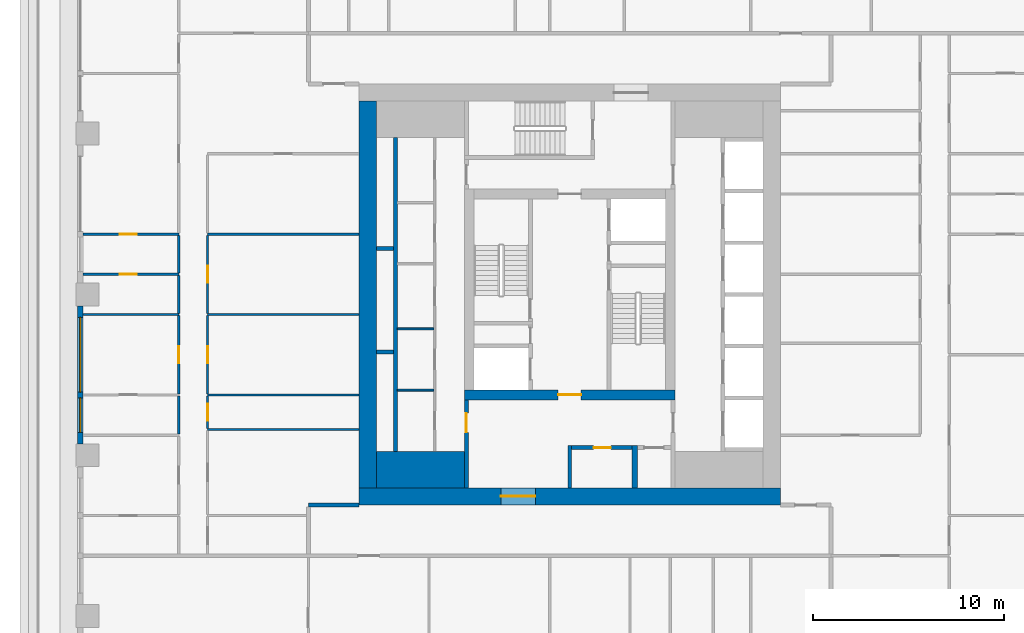
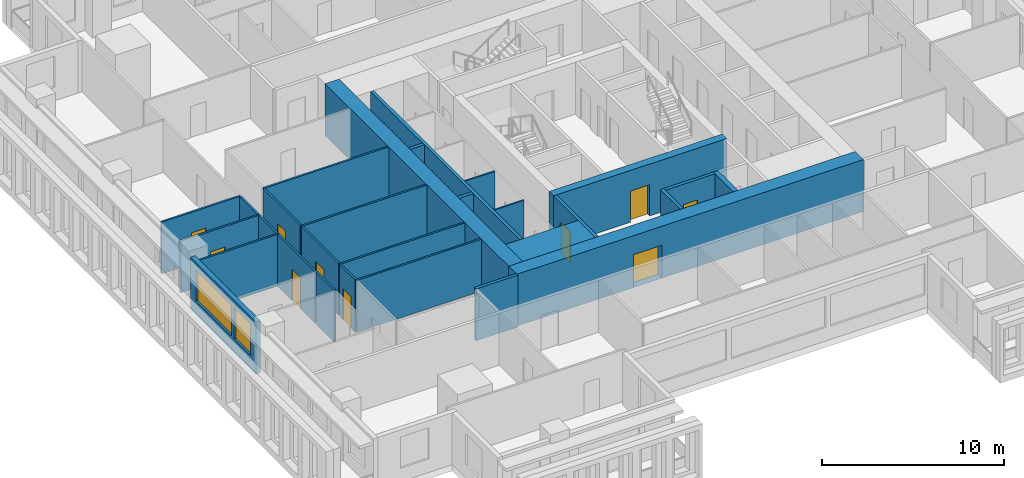
# One storey, part 3 of 14: 29 walls, 10 doors, 2 windows, 12 openings.
"""IFC4 building model written with IfcOpenShell, lengths in metres."""

from ifc_helpers import new_model, si_unit, direction, frame, frame_2d, origin, place, context, subcontext, project, spatial, rectangle, extrude, material, layer, layer_set, type_object, element, fill, save


model = new_model("IFC4")

# Units and contexts
model_context = context("Model", 3, precision=1e-05, world=origin(), true_north=direction((0.0, 1.0)))
body_context = subcontext(model_context, "Body", "Model", "MODEL_VIEW")
ifc_project = project(units=[si_unit("LENGTHUNIT", "METRE"), si_unit("AREAUNIT", "SQUARE_METRE"), si_unit("VOLUMEUNIT", "CUBIC_METRE"), si_unit("PLANEANGLEUNIT", "RADIAN"), si_unit("MASSUNIT", "GRAM", prefix="KILO")], contexts=[model_context])

# Site, building, storey
site_placement = place(None, origin())
site = spatial("IfcSite", under=ifc_project, at=site_placement, CompositionType="ELEMENT")
building_placement = place(site_placement, origin())
building = spatial("IfcBuilding", under=site, at=building_placement, Name="Khepri Terraces", CompositionType="ELEMENT")
storey_placement = place(building_placement, frame((0.0, 0.0, 267.89990234375)))
storey = spatial("IfcBuildingStorey", under=building, at=storey_placement, Name="L64", CompositionType="ELEMENT", Elevation=267.89990234375)

# Walls
ifc_material_1 = material(Name="Concrete C40/50", Category="concrete")
ifc_layer_1 = layer(ifc_material_1, 1.89990234375, Name="Concrete C40/50", Category="concrete")
ifc_layer_set_1 = layer_set([ifc_layer_1], Name="Concrete C40/50")
wall_type_1 = type_object("IfcWallType", Name="Core wall 1900 C40/50", PredefinedType="SHEAR", material=ifc_layer_set_1)
wall_1_placement = place(storey_placement, frame((-10.10009765625, -9.14990234375, 0.0), z_axis=(0.0, 0.0, 1.0), x_axis=(1.0, 0.0, 0.0)))
element("IfcWall", 1, at=wall_1_placement, inside=storey, type_object=wall_type_1, Name="Core wall PR01 L64", PredefinedType="SHEAR", context=body_context, shape_type="SweptSolid", body=[
    extrude(rectangle(XDim=4.60009765625, YDim=1.89990234375, at=frame_2d((2.300048828125, 0.0))), origin(), (0.0, 0.0, 1.0), 3.47998046875),
])
ifc_layer_2 = layer(ifc_material_1, 0.199951171875, Name="Concrete C40/50", Category="concrete")
ifc_layer_set_2 = layer_set([ifc_layer_2], Name="Concrete C40/50")
wall_type_2 = type_object("IfcWallType", Name="Core wall 200 C40/50", PredefinedType="SHEAR", material=ifc_layer_set_2)
wall_2_placement = place(storey_placement, frame((-9.10009765625, -8.199951171875, 0.0), z_axis=(0.0, 0.0, 1.0), x_axis=(0.0, 1.0, 0.0)))
element("IfcWall", 2, at=wall_2_placement, inside=storey, type_object=wall_type_2, Name="Core wall SH01 L64", PredefinedType="SHEAR", context=body_context, shape_type="SweptSolid", body=[
    extrude(rectangle(XDim=16.39990234375, YDim=0.199951171875, at=frame_2d((8.199951171875, 0.0))), origin(), (0.0, 0.0, 1.0), 3.47998046875),
])
for number, where, z_axis, x_axis, name in (
    (3, (-10.10009765625, -3.0, 0.0), (0.0, 0.0, 1.0), (1.0, 0.0, 0.0), "Core wall SH06 L64"),
    (4, (-10.10009765625, 2.39990234375, 0.0), (0.0, 0.0, 1.0), (1.0, 0.0, 0.0), "Core wall SH11 L64"),
):
    element("IfcWall", number, at=place(storey_placement, frame(where, z_axis=z_axis, x_axis=x_axis)), inside=storey, type_object=wall_type_2, Name=name, PredefinedType="SHEAR", context=body_context, shape_type="SweptSolid", body=[
        extrude(rectangle(XDim=0.900146484375, YDim=0.199951171875, at=frame_2d((0.4501953125, 0.0))), origin(), (0.0, 0.0, 1.0), 3.47998046875),
    ])

# Wall, opening, door
ifc_layer_3 = layer(ifc_material_1, 0.5, Name="Concrete C40/50", Category="concrete")
ifc_layer_set_3 = layer_set([ifc_layer_3], Name="Concrete C40/50")
wall_type_3 = type_object("IfcWallType", Name="Core wall 500 C40/50", PredefinedType="SHEAR", material=ifc_layer_set_3)
wall_3_placement = place(storey_placement, frame((-5.5, -5.25, 0.0), z_axis=(0.0, 0.0, 1.0), x_axis=(1.0, 0.0, 0.0)))
wall_3 = element("IfcWall", 5, at=wall_3_placement, inside=storey, type_object=wall_type_3, Name="Core wall BX01 L64", PredefinedType="SHEAR", context=body_context, shape_type="SweptSolid", body=[
    extrude(rectangle(XDim=11.0, YDim=0.5, at=frame_2d((5.5, 0.0))), origin(), (0.0, 0.0, 1.0), 3.47998046875),
])
opening_1_placement = place(wall_3_placement, frame((4.89990234375, 0.0, 0.0)))
opening_1 = element("IfcOpeningElement", 6, at=opening_1_placement, cuts=wall_3, Name="Opening L64-C14", PredefinedType="OPENING", context=body_context, shape_type="SweptSolid", body=[
    extrude(rectangle(XDim=1.199951171875, YDim=2.10009765625, at=frame_2d((0.60009765625, 1.050048828125))), frame((0.0, 0.260009765625, 0.0), z_axis=(0.0, -1.0, 0.0), x_axis=(1.0, 0.0, 0.0)), (0.0, 0.0, 1.0), 0.52001953125),
])
ifc_material_2 = material(Name="Painted steel", Category="steel")
door_type_1 = type_object("IfcDoorType", Name="DR-CORE-FF-LOBBY-1200", OperationType="NOTDEFINED", PredefinedType="DOOR", material=ifc_material_2)
door_1_placement = place(opening_1_placement, origin())
door_1 = element("IfcDoor", 7, at=door_1_placement, inside=storey, type_object=door_type_1, Name="Firefighting lobby door L64-C14", OperationType="SINGLE_SWING_RIGHT", OverallHeight=2.10009765625, OverallWidth=1.199951171875, PredefinedType="DOOR", context=body_context, shape_type="SweptSolid", body=[
    extrude(rectangle(XDim=1.199951171875, YDim=2.10009765625, at=frame_2d((0.60009765625, 1.050048828125))), frame((0.0, 0.02490234375, 0.0), z_axis=(0.0, -1.0, 0.0), x_axis=(1.0, 0.0, 0.0)), (0.0, 0.0, 1.0), 0.050048828125),
])
fill(opening_1, door_1)

ifc_layer_4 = layer(ifc_material_1, 0.89990234375, Name="Concrete C40/50", Category="concrete")
ifc_layer_set_4 = layer_set([ifc_layer_4], Name="Concrete C40/50")
wall_type_4 = type_object("IfcWallType", Name="Core wall 900 C40/50", PredefinedType="SHEAR", material=ifc_layer_set_4)
wall_4_placement = place(storey_placement, frame((-11.0, -10.550048828125, 0.0), z_axis=(0.0, 0.0, 1.0), x_axis=(1.0, 0.0, 0.0)))
wall_4 = element("IfcWall", 8, at=wall_4_placement, inside=storey, type_object=wall_type_4, Name="Core wall OW-S L64", PredefinedType="SHEAR", context=body_context, shape_type="SweptSolid", body=[
    extrude(rectangle(XDim=22.0, YDim=0.89990234375, at=frame_2d((11.0, 0.0))), origin(), (0.0, 0.0, 1.0), 3.47998046875),
])
opening_2_placement = place(wall_4_placement, frame((7.39990234375, 0.0, 0.0)))
opening_2 = element("IfcOpeningElement", 9, at=opening_2_placement, cuts=wall_4, Name="Opening L64-C21", PredefinedType="OPENING", context=body_context, shape_type="SweptSolid", body=[
    extrude(rectangle(XDim=1.800048828125, YDim=2.199951171875, at=frame_2d((0.89990234375, 1.10009765625))), frame((0.0, 0.4599609375, 0.0), z_axis=(0.0, -1.0, 0.0), x_axis=(1.0, 0.0, 0.0)), (0.0, 0.0, 1.0), 0.919921875),
])
door_type_2 = type_object("IfcDoorType", Name="DR-CORE-ENTRANCE-1800", OperationType="NOTDEFINED", PredefinedType="DOOR", material=ifc_material_2)
door_2_placement = place(opening_2_placement, frame((1.800048828125, 0.0, 0.0), z_axis=(0.0, 0.0, 1.0), x_axis=(-1.0, 0.0, 0.0)))
door_2 = element("IfcDoor", 10, at=door_2_placement, inside=storey, type_object=door_type_2, Name="Core entrance door pair L64-C21", OperationType="DOUBLE_DOOR_SINGLE_SWING", OverallHeight=2.199951171875, OverallWidth=1.800048828125, PredefinedType="DOOR", context=body_context, shape_type="SweptSolid", body=[
    extrude(rectangle(XDim=1.800048828125, YDim=2.199951171875, at=frame_2d((0.89990234375, 1.10009765625))), frame((0.0, 0.02490234375, 0.0), z_axis=(0.0, -1.0, 0.0), x_axis=(1.0, 0.0, 0.0)), (0.0, 0.0, 1.0), 0.050048828125),
])
fill(opening_2, door_2)

# Walls
wall_5_placement = place(storey_placement, frame((-10.550048828125, -10.10009765625, 0.0), z_axis=(0.0, 0.0, 1.0), x_axis=(0.0, 1.0, 0.0)))
element("IfcWall", 11, at=wall_5_placement, inside=storey, type_object=wall_type_4, Name="Core wall OW-W L64", PredefinedType="SHEAR", context=body_context, shape_type="SweptSolid", body=[
    extrude(rectangle(XDim=20.2001953125, YDim=0.89990234375, at=frame_2d((10.10009765625, 0.0))), origin(), (0.0, 0.0, 1.0), 3.47998046875),
])
ifc_material_3 = material(Name="Fire-rated gypsum board partition")
ifc_layer_5 = layer(ifc_material_3, 0.10009765625, Name="Fire-rated gypsum board partition")
ifc_layer_set_5 = layer_set([ifc_layer_5], Name="Fire-rated gypsum board partition")
wall_type_5 = type_object("IfcWallType", Name="WL-CORE-PART-100", PredefinedType="PARTITIONING", material=ifc_layer_set_5)
for number, where, z_axis, x_axis, name in (
    (12, (-9.0, -5.0, 0.0), (0.0, 0.0, 1.0), (1.0, 0.0, 0.0), "Core partition PT08 L64"),
    (13, (-9.0, -1.800048828125, 0.0), (0.0, 0.0, 1.0), (1.0, 0.0, 0.0), "Core partition PT09 L64"),
):
    element("IfcWall", number, at=place(storey_placement, frame(where, z_axis=z_axis, x_axis=x_axis)), inside=storey, type_object=wall_type_5, Name=name, PredefinedType="PARTITIONING", context=body_context, shape_type="SweptSolid", body=[
        extrude(rectangle(XDim=1.89990234375, YDim=0.10009765625, at=frame_2d((0.949951171875, 0.0))), origin(), (0.0, 0.0, 1.0), 3.47998046875),
    ])

# Wall, opening, door
ifc_layer_6 = layer(ifc_material_3, 0.199951171875, Name="Fire-rated gypsum board partition")
ifc_layer_set_6 = layer_set([ifc_layer_6], Name="Fire-rated gypsum board partition")
wall_type_6 = type_object("IfcWallType", Name="WL-CORE-PART-200", PredefinedType="PARTITIONING", material=ifc_layer_set_6)
wall_6_placement = place(storey_placement, frame((-5.39990234375, -10.10009765625, 0.0), z_axis=(0.0, 0.0, 1.0), x_axis=(0.0, 1.0, 0.0)))
wall_6 = element("IfcWall", 14, at=wall_6_placement, inside=storey, type_object=wall_type_6, Name="Core partition PT01 L64", PredefinedType="PARTITIONING", context=body_context, shape_type="SweptSolid", body=[
    extrude(rectangle(XDim=4.60009765625, YDim=0.199951171875, at=frame_2d((2.300048828125, 0.0))), origin(), (0.0, 0.0, 1.0), 3.47998046875),
])
opening_3_placement = place(wall_6_placement, frame((2.89990234375, 0.0, 0.0)))
opening_3 = element("IfcOpeningElement", 15, at=opening_3_placement, cuts=wall_6, Name="Opening L64-C18", PredefinedType="OPENING", context=body_context, shape_type="SweptSolid", body=[
    extrude(rectangle(XDim=1.0, YDim=2.10009765625, at=frame_2d((0.5, 1.050048828125))), frame((0.0, 0.10986328125, 0.0), z_axis=(0.0, -1.0, 0.0), x_axis=(1.0, 0.0, 0.0)), (0.0, 0.0, 1.0), 0.219970703125),
])
door_type_3 = type_object("IfcDoorType", Name="DR-CORE-LOBBY-1000", OperationType="NOTDEFINED", PredefinedType="DOOR", material=ifc_material_2)
door_3_placement = place(opening_3_placement, frame((1.0, 0.0, 0.0), z_axis=(0.0, 0.0, 1.0), x_axis=(-1.0, 0.0, 0.0)))
door_3 = element("IfcDoor", 16, at=door_3_placement, inside=storey, type_object=door_type_3, Name="Lobby door L64-C18", OperationType="SINGLE_SWING_LEFT", OverallHeight=2.10009765625, OverallWidth=1.0, PredefinedType="DOOR", context=body_context, shape_type="SweptSolid", body=[
    extrude(rectangle(XDim=1.0, YDim=2.10009765625, at=frame_2d((0.5, 1.050048828125))), frame((0.0, 0.02490234375, 0.0), z_axis=(0.0, -1.0, 0.0), x_axis=(1.0, 0.0, 0.0)), (0.0, 0.0, 1.0), 0.050048828125),
])
fill(opening_3, door_3)

# Wall
wall_7_placement = place(storey_placement, frame((0.0, -10.10009765625, 0.0), z_axis=(0.0, 0.0, 1.0), x_axis=(0.0, 1.0, 0.0)))
element("IfcWall", 17, at=wall_7_placement, inside=storey, type_object=wall_type_6, Name="Core partition PT02 L64", PredefinedType="PARTITIONING", context=body_context, shape_type="SweptSolid", body=[
    extrude(rectangle(XDim=2.2001953125, YDim=0.199951171875, at=frame_2d((1.10009765625, 0.0))), origin(), (0.0, 0.0, 1.0), 3.47998046875),
])

# Wall, opening, door
wall_8_placement = place(storey_placement, frame((0.10009765625, -8.0, 0.0), z_axis=(0.0, 0.0, 1.0), x_axis=(1.0, 0.0, 0.0)))
wall_8 = element("IfcWall", 18, at=wall_8_placement, inside=storey, type_object=wall_type_6, Name="Core partition PT06 L64", PredefinedType="PARTITIONING", context=body_context, shape_type="SweptSolid", body=[
    extrude(rectangle(XDim=3.14990234375, YDim=0.199951171875, at=frame_2d((1.574951171875, 0.0))), origin(), (0.0, 0.0, 1.0), 3.47998046875),
])
opening_4_placement = place(wall_8_placement, frame((1.14990234375, 0.0, 0.0)))
opening_4 = element("IfcOpeningElement", 19, at=opening_4_placement, cuts=wall_8, Name="Opening L64-C22", PredefinedType="OPENING", context=body_context, shape_type="SweptSolid", body=[
    extrude(rectangle(XDim=0.89990234375, YDim=2.10009765625, at=frame_2d((0.449951171875, 1.050048828125))), frame((0.0, 0.10986328125, 0.0), z_axis=(0.0, -1.0, 0.0), x_axis=(1.0, 0.0, 0.0)), (0.0, 0.0, 1.0), 0.219970703125),
])
door_type_4 = type_object("IfcDoorType", Name="DR-CORE-SERVICE-900", OperationType="NOTDEFINED", PredefinedType="DOOR", material=ifc_material_2)
door_4_placement = place(opening_4_placement, frame((0.89990234375, 0.0, 0.0), z_axis=(0.0, 0.0, 1.0), x_axis=(-1.0, 0.0, 0.0)))
door_4 = element("IfcDoor", 20, at=door_4_placement, inside=storey, type_object=door_type_4, Name="Service room door L64-C22", OperationType="SINGLE_SWING_LEFT", OverallHeight=2.10009765625, OverallWidth=0.89990234375, PredefinedType="DOOR", context=body_context, shape_type="SweptSolid", body=[
    extrude(rectangle(XDim=0.89990234375, YDim=2.10009765625, at=frame_2d((0.449951171875, 1.050048828125))), frame((0.0, 0.02490234375, 0.0), z_axis=(0.0, -1.0, 0.0), x_axis=(1.0, 0.0, 0.0)), (0.0, 0.0, 1.0), 0.050048828125),
])
fill(opening_4, door_4)

# Walls
ifc_layer_7 = layer(ifc_material_3, 0.300048828125, Name="Fire-rated gypsum board partition")
ifc_layer_set_7 = layer_set([ifc_layer_7], Name="Fire-rated gypsum board partition")
wall_type_7 = type_object("IfcWallType", Name="WL-CORE-PART-300", PredefinedType="PARTITIONING", material=ifc_layer_set_7)
wall_9_placement = place(storey_placement, frame((3.39990234375, -10.10009765625, 0.0), z_axis=(0.0, 0.0, 1.0), x_axis=(0.0, 1.0, 0.0)))
element("IfcWall", 21, at=wall_9_placement, inside=storey, type_object=wall_type_7, Name="Core partition PT03 L64", PredefinedType="PARTITIONING", context=body_context, shape_type="SweptSolid", body=[
    extrude(rectangle(XDim=2.2001953125, YDim=0.300048828125, at=frame_2d((1.10009765625, 0.0))), origin(), (0.0, 0.0, 1.0), 3.47998046875),
])
ifc_material_4 = material(Name="Fire-rated gypsum plasterboard partition, mineral wool")
ifc_layer_8 = layer(ifc_material_4, 0.199951171875, Name="Fire-rated gypsum plasterboard partition, mineral wool")
ifc_layer_set_8 = layer_set([ifc_layer_8], Name="Fire-rated gypsum plasterboard partition, mineral wool")
wall_type_8 = type_object("IfcWallType", Name="WL-CORR-200", PredefinedType="PARTITIONING", material=ifc_layer_set_8)
wall_10_placement = place(storey_placement, frame((-13.64990234375, -11.0, 0.0), z_axis=(0.0, 0.0, 1.0), x_axis=(1.0, 0.0, 0.0)))
element("IfcWall", 22, at=wall_10_placement, inside=storey, type_object=wall_type_8, Name="Partition P-031 L64", PredefinedType="PARTITIONING", context=body_context, shape_type="SweptSolid", body=[
    extrude(rectangle(XDim=2.64990234375, YDim=0.199951171875, at=frame_2d((1.324951171875, 0.0))), origin(), (0.0, 0.0, 1.0), 3.47998046875),
])

# Wall, openings, windows
ifc_material_5 = material(Name="Precast concrete C50/60 warm stone", Category="masonry")
ifc_layer_9 = layer(ifc_material_5, 0.300048828125, Name="Precast concrete C50/60 warm stone", Category="masonry")
ifc_layer_set_9 = layer_set([ifc_layer_9], Name="Precast concrete C50/60 warm stone")
wall_type_9 = type_object("IfcWallType", Name="WL-EXT-PRECAST-300", PredefinedType="STANDARD", material=ifc_layer_set_9)
wall_11_placement = place(storey_placement, frame((-25.570068359375, -0.60009765625, 0.0), z_axis=(0.0, 0.0, 1.0), x_axis=(0.0, -1.0, 0.0)))
wall_11 = element("IfcWall", 23, at=wall_11_placement, inside=storey, type_object=wall_type_9, Name="External wall L64 W", PredefinedType="STANDARD", context=body_context, shape_type="SweptSolid", body=[
    extrude(rectangle(XDim=7.199951171875, YDim=0.300048828125, at=frame_2d((3.60009765625, 0.0))), origin(), (0.0, 0.0, 1.0), 3.47998046875),
])
opening_5_placement = place(wall_11_placement, frame((0.60009765625, 0.0, 0.89990234375)))
opening_5 = element("IfcOpeningElement", 24, at=opening_5_placement, cuts=wall_11, Name="Opening W2", PredefinedType="OPENING", context=body_context, shape_type="SweptSolid", body=[
    extrude(rectangle(XDim=3.89990234375, YDim=2.10009765625, at=frame_2d((1.949951171875, 1.050048828125))), frame((0.0, 0.16015625, 0.0), z_axis=(0.0, -1.0, 0.0), x_axis=(1.0, 0.0, 0.0)), (0.0, 0.0, 1.0), 0.320068359375),
])
opening_6_placement = place(wall_11_placement, frame((4.800048828125, 0.0, 0.89990234375)))
opening_6 = element("IfcOpeningElement", 25, at=opening_6_placement, cuts=wall_11, Name="Opening W1", PredefinedType="OPENING", context=body_context, shape_type="SweptSolid", body=[
    extrude(rectangle(XDim=1.800048828125, YDim=2.10009765625, at=frame_2d((0.89990234375, 1.050048828125))), frame((0.0, 0.16015625, 0.0), z_axis=(0.0, -1.0, 0.0), x_axis=(1.0, 0.0, 0.0)), (0.0, 0.0, 1.0), 0.320068359375),
])
ifc_material_6 = material(Name="Clear glass", Category="glass")
window_type_1 = type_object("IfcWindowType", Name="WIN-RES-1800x2100", PartitioningType="SINGLE_PANEL", PredefinedType="WINDOW", material=ifc_material_6)
window_1_placement = place(opening_6_placement, origin())
window_1 = element("IfcWindow", 26, at=window_1_placement, inside=storey, type_object=window_type_1, Name="Window L64 W", OverallHeight=2.10009765625, OverallWidth=1.800048828125, PartitioningType="SINGLE_PANEL", PredefinedType="WINDOW", context=body_context, shape_type="SweptSolid", body=[
    extrude(rectangle(XDim=1.800048828125, YDim=2.10009765625, at=frame_2d((0.89990234375, 1.050048828125))), frame((0.0, 0.030029296875, 0.0), z_axis=(0.0, -1.0, 0.0), x_axis=(1.0, 0.0, 0.0)), (0.0, 0.0, 1.0), 0.06005859375),
])
fill(opening_6, window_1)
window_type_2 = type_object("IfcWindowType", Name="WIN-RES-3900x2100", PartitioningType="SINGLE_PANEL", PredefinedType="WINDOW", material=ifc_material_6)
window_2_placement = place(opening_5_placement, origin())
window_2 = element("IfcWindow", 27, at=window_2_placement, inside=storey, type_object=window_type_2, Name="Window L64 W", OverallHeight=2.10009765625, OverallWidth=3.89990234375, PartitioningType="SINGLE_PANEL", PredefinedType="WINDOW", context=body_context, shape_type="SweptSolid", body=[
    extrude(rectangle(XDim=3.89990234375, YDim=2.10009765625, at=frame_2d((1.949951171875, 1.050048828125))), frame((0.0, 0.030029296875, 0.0), z_axis=(0.0, -1.0, 0.0), x_axis=(1.0, 0.0, 0.0)), (0.0, 0.0, 1.0), 0.06005859375),
])
fill(opening_5, window_2)

# Walls
ifc_material_7 = material(Name="Gypsum plasterboard partition")
ifc_layer_10 = layer(ifc_material_7, 0.1201171875, Name="Gypsum plasterboard partition")
ifc_layer_set_10 = layer_set([ifc_layer_10], Name="Gypsum plasterboard partition")
wall_type_10 = type_object("IfcWallType", Name="WL-PART-120", PredefinedType="PARTITIONING", material=ifc_layer_set_10)
wall_12_placement = place(storey_placement, frame((-20.419921875, -7.2900390625, 0.0), z_axis=(0.0, 0.0, 1.0), x_axis=(0.0, 1.0, 0.0)))
element("IfcWall", 28, at=wall_12_placement, inside=storey, type_object=wall_type_10, Name="Partition P-035 L64", PredefinedType="PARTITIONING", context=body_context, shape_type="SweptSolid", body=[
    extrude(rectangle(XDim=1.97998046875, YDim=0.1201171875, at=frame_2d((0.989990234375, 0.0))), origin(), (0.0, 0.0, 1.0), 3.47998046875),
])
wall_13_placement = place(storey_placement, frame((-18.919921875, -7.050048828125, 0.0), z_axis=(0.0, 0.0, 1.0), x_axis=(1.0, 0.0, 0.0)))
element("IfcWall", 29, at=wall_13_placement, inside=storey, type_object=wall_type_10, Name="Partition P-037 L64", PredefinedType="PARTITIONING", context=body_context, shape_type="SweptSolid", body=[
    extrude(rectangle(XDim=7.919921875, YDim=0.1201171875, at=frame_2d((3.9599609375, 0.0))), origin(), (0.0, 0.0, 1.0), 3.47998046875),
])

# Wall, opening, door
wall_14_placement = place(storey_placement, frame((-18.919921875, -6.989990234375, 0.0), z_axis=(0.0, 0.0, 1.0), x_axis=(0.0, 1.0, 0.0)))
wall_14 = element("IfcWall", 30, at=wall_14_placement, inside=storey, type_object=wall_type_10, Name="Partition P-038 L64", PredefinedType="PARTITIONING", context=body_context, shape_type="SweptSolid", body=[
    extrude(rectangle(XDim=1.679931640625, YDim=0.1201171875, at=frame_2d((0.83984375, 0.0))), origin(), (0.0, 0.0, 1.0), 3.47998046875),
])
opening_7_placement = place(wall_14_placement, frame((0.389892578125, 0.0, 0.0)))
opening_7 = element("IfcOpeningElement", 31, at=opening_7_placement, cuts=wall_14, Name="Opening D4", PredefinedType="OPENING", context=body_context, shape_type="SweptSolid", body=[
    extrude(rectangle(XDim=0.89990234375, YDim=2.10009765625, at=frame_2d((0.449951171875, 1.050048828125))), frame((0.0, 0.070068359375, 0.0), z_axis=(0.0, -1.0, 0.0), x_axis=(1.0, 0.0, 0.0)), (0.0, 0.0, 1.0), 0.14013671875),
])
ifc_material_8 = material(Name="Timber door leaf, moisture resistant", Category="wood")
door_type_5 = type_object("IfcDoorType", Name="DR-WET-900", OperationType="NOTDEFINED", PredefinedType="DOOR", material=ifc_material_8)
door_5_placement = place(opening_7_placement, frame((0.89990234375, 0.0, 0.0), z_axis=(0.0, 0.0, 1.0), x_axis=(-1.0, 0.0, 0.0)))
door_5 = element("IfcDoor", 32, at=door_5_placement, inside=storey, type_object=door_type_5, Name="Door Guest Bathroom", OperationType="SINGLE_SWING_RIGHT", OverallHeight=2.10009765625, OverallWidth=0.89990234375, PredefinedType="DOOR", context=body_context, shape_type="SweptSolid", body=[
    extrude(rectangle(XDim=0.89990234375, YDim=2.10009765625, at=frame_2d((0.449951171875, 1.050048828125))), frame((0.0, 0.02490234375, 0.0), z_axis=(0.0, -1.0, 0.0), x_axis=(1.0, 0.0, 0.0)), (0.0, 0.0, 1.0), 0.050048828125),
])
fill(opening_7, door_5)

# Wall
wall_15_placement = place(storey_placement, frame((-18.919921875, -5.25, 0.0), z_axis=(0.0, 0.0, 1.0), x_axis=(1.0, 0.0, 0.0)))
element("IfcWall", 33, at=wall_15_placement, inside=storey, type_object=wall_type_10, Name="Partition P-040 L64", PredefinedType="PARTITIONING", context=body_context, shape_type="SweptSolid", body=[
    extrude(rectangle(XDim=7.919921875, YDim=0.1201171875, at=frame_2d((3.9599609375, 0.0))), origin(), (0.0, 0.0, 1.0), 3.47998046875),
])

# Wall, opening, door
wall_16_placement = place(storey_placement, frame((-20.419921875, -5.18994140625, 0.0), z_axis=(0.0, 0.0, 1.0), x_axis=(0.0, 1.0, 0.0)))
wall_16 = element("IfcWall", 34, at=wall_16_placement, inside=storey, type_object=wall_type_10, Name="Partition P-041 L64", PredefinedType="PARTITIONING", context=body_context, shape_type="SweptSolid", body=[
    extrude(rectangle(XDim=4.079833984375, YDim=0.1201171875, at=frame_2d((2.0400390625, 0.0))), origin(), (0.0, 0.0, 1.0), 3.47998046875),
])
opening_8_placement = place(wall_16_placement, frame((1.590087890625, 0.0, 0.0)))
opening_8 = element("IfcOpeningElement", 35, at=opening_8_placement, cuts=wall_16, Name="Opening D3", PredefinedType="OPENING", context=body_context, shape_type="SweptSolid", body=[
    extrude(rectangle(XDim=0.89990234375, YDim=2.10009765625, at=frame_2d((0.449951171875, 1.050048828125))), frame((0.0, 0.070068359375, 0.0), z_axis=(0.0, -1.0, 0.0), x_axis=(1.0, 0.0, 0.0)), (0.0, 0.0, 1.0), 0.14013671875),
])
ifc_material_9 = material(Name="Timber door leaf", Category="wood")
door_type_6 = type_object("IfcDoorType", Name="DR-INT-900", OperationType="NOTDEFINED", PredefinedType="DOOR", material=ifc_material_9)
door_6_placement = place(opening_8_placement, origin())
door_6 = element("IfcDoor", 36, at=door_6_placement, inside=storey, type_object=door_type_6, Name="Door Bedroom", OperationType="SINGLE_SWING_RIGHT", OverallHeight=2.10009765625, OverallWidth=0.89990234375, PredefinedType="DOOR", context=body_context, shape_type="SweptSolid", body=[
    extrude(rectangle(XDim=0.89990234375, YDim=2.10009765625, at=frame_2d((0.449951171875, 1.050048828125))), frame((0.0, 0.02490234375, 0.0), z_axis=(0.0, -1.0, 0.0), x_axis=(1.0, 0.0, 0.0)), (0.0, 0.0, 1.0), 0.050048828125),
])
fill(opening_8, door_6)

wall_17_placement = place(storey_placement, frame((-18.919921875, -5.18994140625, 0.0), z_axis=(0.0, 0.0, 1.0), x_axis=(0.0, 1.0, 0.0)))
wall_17 = element("IfcWall", 37, at=wall_17_placement, inside=storey, type_object=wall_type_10, Name="Partition P-042 L64", PredefinedType="PARTITIONING", context=body_context, shape_type="SweptSolid", body=[
    extrude(rectangle(XDim=4.079833984375, YDim=0.1201171875, at=frame_2d((2.0400390625, 0.0))), origin(), (0.0, 0.0, 1.0), 3.47998046875),
])
opening_9_placement = place(wall_17_placement, frame((1.590087890625, 0.0, 0.0)))
opening_9 = element("IfcOpeningElement", 38, at=opening_9_placement, cuts=wall_17, Name="Opening D3", PredefinedType="OPENING", context=body_context, shape_type="SweptSolid", body=[
    extrude(rectangle(XDim=0.89990234375, YDim=2.10009765625, at=frame_2d((0.449951171875, 1.050048828125))), frame((0.0, 0.070068359375, 0.0), z_axis=(0.0, -1.0, 0.0), x_axis=(1.0, 0.0, 0.0)), (0.0, 0.0, 1.0), 0.14013671875),
])
door_7_placement = place(opening_9_placement, frame((0.89990234375, 0.0, 0.0), z_axis=(0.0, 0.0, 1.0), x_axis=(-1.0, 0.0, 0.0)))
door_7 = element("IfcDoor", 39, at=door_7_placement, inside=storey, type_object=door_type_6, Name="Door Staff Bedroom", OperationType="SINGLE_SWING_LEFT", OverallHeight=2.10009765625, OverallWidth=0.89990234375, PredefinedType="DOOR", context=body_context, shape_type="SweptSolid", body=[
    extrude(rectangle(XDim=0.89990234375, YDim=2.10009765625, at=frame_2d((0.449951171875, 1.050048828125))), frame((0.0, 0.02490234375, 0.0), z_axis=(0.0, -1.0, 0.0), x_axis=(1.0, 0.0, 0.0)), (0.0, 0.0, 1.0), 0.050048828125),
])
fill(opening_9, door_7)

# Walls
wall_18_placement = place(storey_placement, frame((-25.419921875, -1.050048828125, 0.0), z_axis=(0.0, 0.0, 1.0), x_axis=(1.0, 0.0, 0.0)))
element("IfcWall", 40, at=wall_18_placement, inside=storey, type_object=wall_type_10, Name="Partition P-047 L64", PredefinedType="PARTITIONING", context=body_context, shape_type="SweptSolid", body=[
    extrude(rectangle(XDim=5.0, YDim=0.1201171875, at=frame_2d((2.5, 0.0))), origin(), (0.0, 0.0, 1.0), 3.47998046875),
])
wall_19_placement = place(storey_placement, frame((-18.919921875, -1.050048828125, 0.0), z_axis=(0.0, 0.0, 1.0), x_axis=(1.0, 0.0, 0.0)))
element("IfcWall", 41, at=wall_19_placement, inside=storey, type_object=wall_type_10, Name="Partition P-048 L64", PredefinedType="PARTITIONING", context=body_context, shape_type="SweptSolid", body=[
    extrude(rectangle(XDim=7.919921875, YDim=0.1201171875, at=frame_2d((3.9599609375, 0.0))), origin(), (0.0, 0.0, 1.0), 3.47998046875),
])
wall_20_placement = place(storey_placement, frame((-20.419921875, -0.989990234375, 0.0), z_axis=(0.0, 0.0, 1.0), x_axis=(0.0, 1.0, 0.0)))
element("IfcWall", 42, at=wall_20_placement, inside=storey, type_object=wall_type_10, Name="Partition P-049 L64", PredefinedType="PARTITIONING", context=body_context, shape_type="SweptSolid", body=[
    extrude(rectangle(XDim=1.97998046875, YDim=0.1201171875, at=frame_2d((0.989990234375, 0.0))), origin(), (0.0, 0.0, 1.0), 3.47998046875),
])

# Wall, opening, door
wall_21_placement = place(storey_placement, frame((-18.919921875, -0.989990234375, 0.0), z_axis=(0.0, 0.0, 1.0), x_axis=(0.0, 1.0, 0.0)))
wall_21 = element("IfcWall", 43, at=wall_21_placement, inside=storey, type_object=wall_type_10, Name="Partition P-050 L64", PredefinedType="PARTITIONING", context=body_context, shape_type="SweptSolid", body=[
    extrude(rectangle(XDim=4.080078125, YDim=0.1201171875, at=frame_2d((2.0400390625, 0.0))), origin(), (0.0, 0.0, 1.0), 3.47998046875),
])
opening_10_placement = place(wall_21_placement, frame((1.590087890625, 0.0, 0.0)))
opening_10 = element("IfcOpeningElement", 44, at=opening_10_placement, cuts=wall_21, Name="Opening D3", PredefinedType="OPENING", context=body_context, shape_type="SweptSolid", body=[
    extrude(rectangle(XDim=0.89990234375, YDim=2.10009765625, at=frame_2d((0.449951171875, 1.050048828125))), frame((0.0, 0.070068359375, 0.0), z_axis=(0.0, -1.0, 0.0), x_axis=(1.0, 0.0, 0.0)), (0.0, 0.0, 1.0), 0.14013671875),
])
door_8_placement = place(opening_10_placement, frame((0.89990234375, 0.0, 0.0), z_axis=(0.0, 0.0, 1.0), x_axis=(-1.0, 0.0, 0.0)))
door_8 = element("IfcDoor", 45, at=door_8_placement, inside=storey, type_object=door_type_6, Name="Door Service Store", OperationType="SINGLE_SWING_LEFT", OverallHeight=2.10009765625, OverallWidth=0.89990234375, PredefinedType="DOOR", context=body_context, shape_type="SweptSolid", body=[
    extrude(rectangle(XDim=0.89990234375, YDim=2.10009765625, at=frame_2d((0.449951171875, 1.050048828125))), frame((0.0, 0.02490234375, 0.0), z_axis=(0.0, -1.0, 0.0), x_axis=(1.0, 0.0, 0.0)), (0.0, 0.0, 1.0), 0.050048828125),
])
fill(opening_10, door_8)

wall_22_placement = place(storey_placement, frame((-25.419921875, 1.050048828125, 0.0), z_axis=(0.0, 0.0, 1.0), x_axis=(1.0, 0.0, 0.0)))
wall_22 = element("IfcWall", 46, at=wall_22_placement, inside=storey, type_object=wall_type_10, Name="Partition P-051 L64", PredefinedType="PARTITIONING", context=body_context, shape_type="SweptSolid", body=[
    extrude(rectangle(XDim=5.0, YDim=0.1201171875, at=frame_2d((2.5, 0.0))), origin(), (0.0, 0.0, 1.0), 3.47998046875),
])
opening_11_placement = place(wall_22_placement, frame((1.89990234375, 0.0, 0.0)))
opening_11 = element("IfcOpeningElement", 47, at=opening_11_placement, cuts=wall_22, Name="Opening D4", PredefinedType="OPENING", context=body_context, shape_type="SweptSolid", body=[
    extrude(rectangle(XDim=0.89990234375, YDim=2.10009765625, at=frame_2d((0.449951171875, 1.050048828125))), frame((0.0, 0.070068359375, 0.0), z_axis=(0.0, -1.0, 0.0), x_axis=(1.0, 0.0, 0.0)), (0.0, 0.0, 1.0), 0.14013671875),
])
door_9_placement = place(opening_11_placement, frame((0.89990234375, 0.0, 0.0), z_axis=(0.0, 0.0, 1.0), x_axis=(-1.0, 0.0, 0.0)))
door_9 = element("IfcDoor", 48, at=door_9_placement, inside=storey, type_object=door_type_5, Name="Door Bathroom", OperationType="SINGLE_SWING_RIGHT", OverallHeight=2.10009765625, OverallWidth=0.89990234375, PredefinedType="DOOR", context=body_context, shape_type="SweptSolid", body=[
    extrude(rectangle(XDim=0.89990234375, YDim=2.10009765625, at=frame_2d((0.449951171875, 1.050048828125))), frame((0.0, 0.02490234375, 0.0), z_axis=(0.0, -1.0, 0.0), x_axis=(1.0, 0.0, 0.0)), (0.0, 0.0, 1.0), 0.050048828125),
])
fill(opening_11, door_9)

# Wall
wall_23_placement = place(storey_placement, frame((-20.419921875, 1.110107421875, 0.0), z_axis=(0.0, 0.0, 1.0), x_axis=(0.0, 1.0, 0.0)))
element("IfcWall", 49, at=wall_23_placement, inside=storey, type_object=wall_type_10, Name="Partition P-053 L64", PredefinedType="PARTITIONING", context=body_context, shape_type="SweptSolid", body=[
    extrude(rectangle(XDim=1.97998046875, YDim=0.1201171875, at=frame_2d((0.989990234375, 0.0))), origin(), (0.0, 0.0, 1.0), 3.47998046875),
])

# Wall, opening, door
wall_24_placement = place(storey_placement, frame((-25.419921875, 3.14990234375, 0.0), z_axis=(0.0, 0.0, 1.0), x_axis=(1.0, 0.0, 0.0)))
wall_24 = element("IfcWall", 50, at=wall_24_placement, inside=storey, type_object=wall_type_10, Name="Partition P-055 L64", PredefinedType="PARTITIONING", context=body_context, shape_type="SweptSolid", body=[
    extrude(rectangle(XDim=5.0, YDim=0.1201171875, at=frame_2d((2.5, 0.0))), origin(), (0.0, 0.0, 1.0), 3.47998046875),
])
opening_12_placement = place(wall_24_placement, frame((1.89990234375, 0.0, 0.0)))
opening_12 = element("IfcOpeningElement", 51, at=opening_12_placement, cuts=wall_24, Name="Opening D3", PredefinedType="OPENING", context=body_context, shape_type="SweptSolid", body=[
    extrude(rectangle(XDim=0.89990234375, YDim=2.10009765625, at=frame_2d((0.449951171875, 1.050048828125))), frame((0.0, 0.070068359375, 0.0), z_axis=(0.0, -1.0, 0.0), x_axis=(1.0, 0.0, 0.0)), (0.0, 0.0, 1.0), 0.14013671875),
])
door_10_placement = place(opening_12_placement, frame((0.89990234375, 0.0, 0.0), z_axis=(0.0, 0.0, 1.0), x_axis=(-1.0, 0.0, 0.0)))
door_10 = element("IfcDoor", 52, at=door_10_placement, inside=storey, type_object=door_type_6, Name="Door Dressing Room", OperationType="SINGLE_SWING_RIGHT", OverallHeight=2.10009765625, OverallWidth=0.89990234375, PredefinedType="DOOR", context=body_context, shape_type="SweptSolid", body=[
    extrude(rectangle(XDim=0.89990234375, YDim=2.10009765625, at=frame_2d((0.449951171875, 1.050048828125))), frame((0.0, 0.02490234375, 0.0), z_axis=(0.0, -1.0, 0.0), x_axis=(1.0, 0.0, 0.0)), (0.0, 0.0, 1.0), 0.050048828125),
])
fill(opening_12, door_10)

# Wall
wall_25_placement = place(storey_placement, frame((-18.919921875, 3.14990234375, 0.0), z_axis=(0.0, 0.0, 1.0), x_axis=(1.0, 0.0, 0.0)))
element("IfcWall", 53, at=wall_25_placement, inside=storey, type_object=wall_type_10, Name="Partition P-056 L64", PredefinedType="PARTITIONING", context=body_context, shape_type="SweptSolid", body=[
    extrude(rectangle(XDim=7.919921875, YDim=0.1201171875, at=frame_2d((3.9599609375, 0.0))), origin(), (0.0, 0.0, 1.0), 3.47998046875),
])

save(model, "model.ifc")
